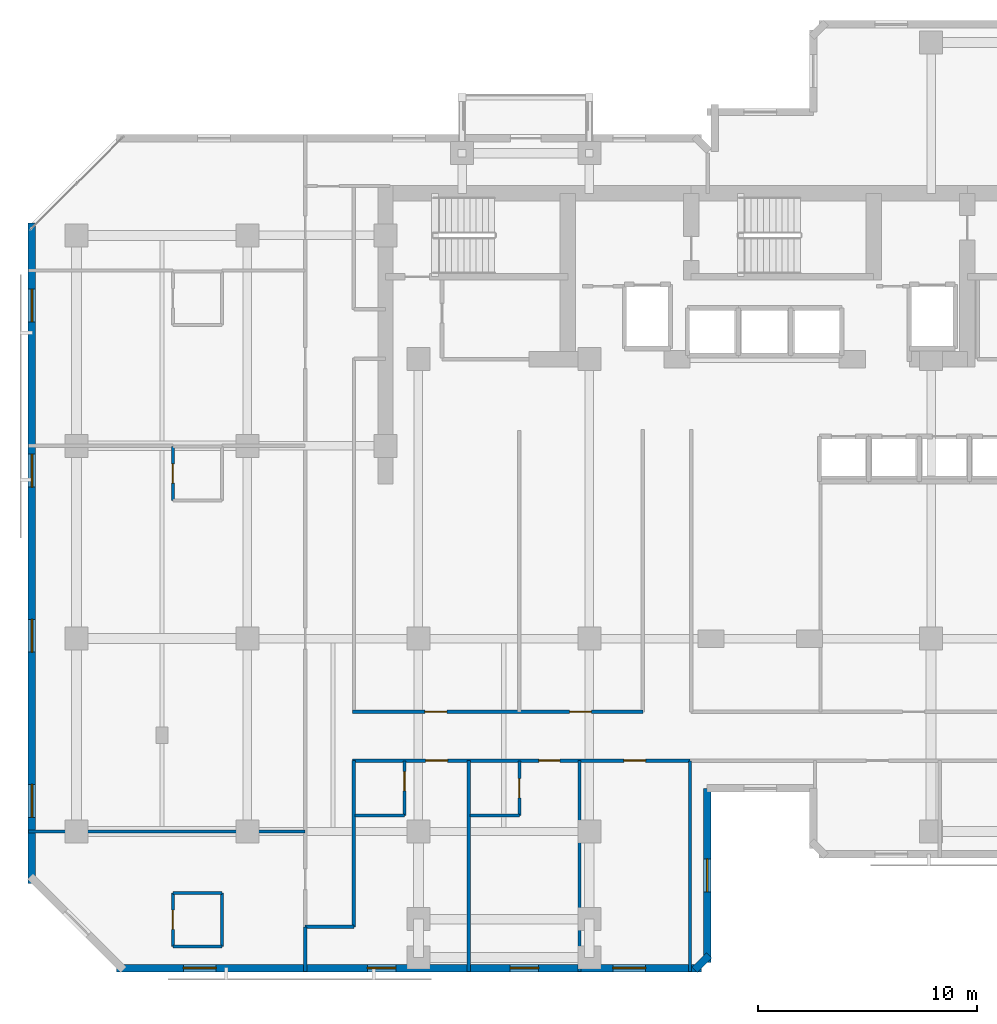
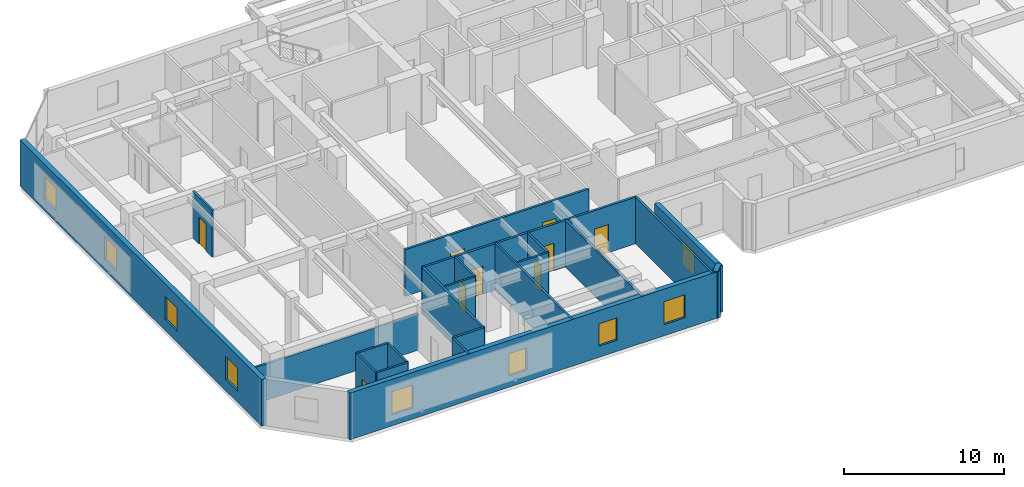
# One storey, part 4 of 10: 22 walls, 9 doors, 9 windows, 18 openings.
"""IFC4 building model written with IfcOpenShell, lengths in metres."""

from ifc_helpers import new_model, si_unit, direction, frame, frame_2d, origin, place, context, subcontext, project, spatial, rectangle, extrude, material, layer, layer_set, type_object, element, fill, save


model = new_model("IFC4")

# Units and contexts
model_context = context("Model", 3, precision=1e-05, world=origin(), true_north=direction((0.0, 1.0)))
body_context = subcontext(model_context, "Body", "Model", "MODEL_VIEW")
ifc_project = project(units=[si_unit("LENGTHUNIT", "METRE"), si_unit("AREAUNIT", "SQUARE_METRE"), si_unit("VOLUMEUNIT", "CUBIC_METRE"), si_unit("PLANEANGLEUNIT", "RADIAN"), si_unit("MASSUNIT", "GRAM", prefix="KILO")], contexts=[model_context])

# Site, building, storey
site_placement = place(None, origin())
site = spatial("IfcSite", under=ifc_project, at=site_placement, CompositionType="ELEMENT")
building_placement = place(site_placement, origin())
building = spatial("IfcBuilding", under=site, at=building_placement, Name="Kestravale Grand Hotel", CompositionType="ELEMENT")
storey_placement = place(building_placement, frame((0.0, 0.0, 142.199951171875)))
storey = spatial("IfcBuildingStorey", under=building, at=storey_placement, Name="L35", CompositionType="ELEMENT", Elevation=142.199951171875)

# Wall, openings, windows
ifc_material_1 = material(Name="Precast concrete f'c 45 MPa", Category="concrete")
ifc_layer_1 = layer(ifc_material_1, 0.340087890625)
ifc_layer_set_1 = layer_set([ifc_layer_1], Name="EW-PREC-340")
wall_type_1 = type_object("IfcWallType", Name="EW-PREC-340", PredefinedType="SOLIDWALL", material=ifc_layer_set_1)
wall_1_placement = place(storey_placement, frame((9.6298828125, 4.969970703125, 0.0), z_axis=(0.0, 0.0, 1.0), x_axis=(1.0, 0.0, 0.0)))
wall_1 = element("IfcWall", 1, at=wall_1_placement, inside=storey, type_object=wall_type_1, Name="L35 fluted precast facade wall 1", PredefinedType="SOLIDWALL", context=body_context, shape_type="SweptSolid", body=[
    extrude(rectangle(XDim=26.690185546875, YDim=0.340087890625, at=frame_2d((13.34521484375, 0.0))), origin(), (0.0, 0.0, 1.0), 3.550048828125),
])
opening_1_placement = place(wall_1_placement, frame((3.04833984375, 0.0, 0.85009765625)))
opening_1 = element("IfcOpeningElement", 2, at=opening_1_placement, cuts=wall_1, Name="Opening W-GUEST-1500", PredefinedType="OPENING", context=body_context, shape_type="SweptSolid", body=[
    extrude(rectangle(XDim=1.5, YDim=1.75, at=frame_2d((0.75, 0.875))), frame((0.0, 0.179931640625, 0.0), z_axis=(0.0, -1.0, 0.0), x_axis=(1.0, 0.0, 0.0)), (0.0, 0.0, 1.0), 0.360107421875),
])
opening_2_placement = place(wall_1_placement, frame((22.6416015625, 0.0, 0.85009765625)))
opening_2 = element("IfcOpeningElement", 3, at=opening_2_placement, cuts=wall_1, Name="Opening W-GUEST-1500", PredefinedType="OPENING", context=body_context, shape_type="SweptSolid", body=[
    extrude(rectangle(XDim=1.5, YDim=1.75, at=frame_2d((0.75, 0.875))), frame((0.0, 0.179931640625, 0.0), z_axis=(0.0, -1.0, 0.0), x_axis=(1.0, 0.0, 0.0)), (0.0, 0.0, 1.0), 0.360107421875),
])
opening_3_placement = place(wall_1_placement, frame((11.449951171875, 0.0, 0.85009765625)))
opening_3 = element("IfcOpeningElement", 4, at=opening_3_placement, cuts=wall_1, Name="Opening W-GUEST-1300", PredefinedType="OPENING", context=body_context, shape_type="SweptSolid", body=[
    extrude(rectangle(XDim=1.300048828125, YDim=1.699951171875, at=frame_2d((0.64990234375, 0.85009765625))), frame((0.0, 0.179931640625, 0.0), z_axis=(0.0, -1.0, 0.0), x_axis=(1.0, 0.0, 0.0)), (0.0, 0.0, 1.0), 0.360107421875),
])
opening_4_placement = place(wall_1_placement, frame((17.955078125, 0.0, 0.85009765625)))
opening_4 = element("IfcOpeningElement", 5, at=opening_4_placement, cuts=wall_1, Name="Opening W-GUEST-1300", PredefinedType="OPENING", context=body_context, shape_type="SweptSolid", body=[
    extrude(rectangle(XDim=1.300048828125, YDim=1.699951171875, at=frame_2d((0.64990234375, 0.85009765625))), frame((0.0, 0.179931640625, 0.0), z_axis=(0.0, -1.0, 0.0), x_axis=(1.0, 0.0, 0.0)), (0.0, 0.0, 1.0), 0.360107421875),
])
ifc_material_2 = material(Name="Insulated low-E double glazing in aluminium frame", Category="aluminium")
window_type_1 = type_object("IfcWindowType", Name="W-GUEST-1300", PartitioningType="SINGLE_PANEL", PredefinedType="WINDOW", material=ifc_material_2)
window_1_placement = place(opening_3_placement, origin())
window_1 = element("IfcWindow", 6, at=window_1_placement, inside=storey, type_object=window_type_1, Name="L35 guestroom envelope window 1", OverallHeight=1.699951171875, OverallWidth=1.300048828125, PartitioningType="SINGLE_PANEL", PredefinedType="WINDOW", context=body_context, shape_type="SweptSolid", body=[
    extrude(rectangle(XDim=1.300048828125, YDim=1.699951171875, at=frame_2d((0.64990234375, 0.85009765625))), frame((0.0, 0.030029296875, 0.0), z_axis=(0.0, -1.0, 0.0), x_axis=(1.0, 0.0, 0.0)), (0.0, 0.0, 1.0), 0.06005859375),
])
fill(opening_3, window_1)
window_2_placement = place(opening_4_placement, origin())
window_2 = element("IfcWindow", 7, at=window_2_placement, inside=storey, type_object=window_type_1, Name="L35 guestroom envelope window 2", OverallHeight=1.699951171875, OverallWidth=1.300048828125, PartitioningType="SINGLE_PANEL", PredefinedType="WINDOW", context=body_context, shape_type="SweptSolid", body=[
    extrude(rectangle(XDim=1.300048828125, YDim=1.699951171875, at=frame_2d((0.64990234375, 0.85009765625))), frame((0.0, 0.030029296875, 0.0), z_axis=(0.0, -1.0, 0.0), x_axis=(1.0, 0.0, 0.0)), (0.0, 0.0, 1.0), 0.06005859375),
])
fill(opening_4, window_2)
ifc_material_3 = material(Name="Insulated low-E double glazing in aluminium frame", Category="aluminium")
window_type_2 = type_object("IfcWindowType", Name="W-GUEST-1500", PartitioningType="SINGLE_PANEL", PredefinedType="WINDOW", material=ifc_material_3)
window_3_placement = place(opening_1_placement, origin())
window_3 = element("IfcWindow", 8, at=window_3_placement, inside=storey, type_object=window_type_2, Name="L35 exterior window 1.1", OverallHeight=1.75, OverallWidth=1.5, PartitioningType="SINGLE_PANEL", PredefinedType="WINDOW", context=body_context, shape_type="SweptSolid", body=[
    extrude(rectangle(XDim=1.5, YDim=1.75, at=frame_2d((0.75, 0.875))), frame((0.0, 0.030029296875, 0.0), z_axis=(0.0, -1.0, 0.0), x_axis=(1.0, 0.0, 0.0)), (0.0, 0.0, 1.0), 0.06005859375),
])
fill(opening_1, window_3)
window_4_placement = place(opening_2_placement, origin())
window_4 = element("IfcWindow", 9, at=window_4_placement, inside=storey, type_object=window_type_2, Name="L35 exterior window 1.2", OverallHeight=1.75, OverallWidth=1.5, PartitioningType="SINGLE_PANEL", PredefinedType="WINDOW", context=body_context, shape_type="SweptSolid", body=[
    extrude(rectangle(XDim=1.5, YDim=1.75, at=frame_2d((0.75, 0.875))), frame((0.0, 0.030029296875, 0.0), z_axis=(0.0, -1.0, 0.0), x_axis=(1.0, 0.0, 0.0)), (0.0, 0.0, 1.0), 0.06005859375),
])
fill(opening_2, window_4)

# Wall
wall_2_placement = place(storey_placement, frame((36.00146484375, 4.891845703125, 0.0), z_axis=(0.0, 0.0, 1.0), x_axis=(0.707106781187, 0.707106781187, 0.0)))
element("IfcWall", 10, at=wall_2_placement, inside=storey, type_object=wall_type_1, Name="L35 fluted precast facade wall 2", PredefinedType="SOLIDWALL", context=body_context, shape_type="SweptSolid", body=[
    extrude(rectangle(XDim=0.9287109375, YDim=0.340087890625, at=frame_2d((0.46435546875, 0.0))), origin(), (0.0, 0.0, 1.0), 3.550048828125),
])

# Wall, opening, window
wall_3_placement = place(storey_placement, frame((36.580078125, 5.22998046875, 0.0), z_axis=(0.0, 0.0, 1.0), x_axis=(0.0, 1.0, 0.0)))
wall_3 = element("IfcWall", 11, at=wall_3_placement, inside=storey, type_object=wall_type_1, Name="L35 fluted precast facade wall 3", PredefinedType="SOLIDWALL", context=body_context, shape_type="SweptSolid", body=[
    extrude(rectangle(XDim=7.93994140625, YDim=0.340087890625, at=frame_2d((3.969970703125, 0.0))), origin(), (0.0, 0.0, 1.0), 3.550048828125),
])
opening_5_placement = place(wall_3_placement, frame((3.219970703125, 0.0, 0.85009765625)))
opening_5 = element("IfcOpeningElement", 12, at=opening_5_placement, cuts=wall_3, Name="Opening W-GUEST-1500", PredefinedType="OPENING", context=body_context, shape_type="SweptSolid", body=[
    extrude(rectangle(XDim=1.5, YDim=1.75, at=frame_2d((0.75, 0.875))), frame((0.0, 0.179931640625, 0.0), z_axis=(0.0, -1.0, 0.0), x_axis=(1.0, 0.0, 0.0)), (0.0, 0.0, 1.0), 0.360107421875),
])
window_5_placement = place(opening_5_placement, origin())
window_5 = element("IfcWindow", 13, at=window_5_placement, inside=storey, type_object=window_type_2, Name="L35 exterior window 3.1", OverallHeight=1.75, OverallWidth=1.5, PartitioningType="SINGLE_PANEL", PredefinedType="WINDOW", context=body_context, shape_type="SweptSolid", body=[
    extrude(rectangle(XDim=1.5, YDim=1.75, at=frame_2d((0.75, 0.875))), frame((0.0, 0.030029296875, 0.0), z_axis=(0.0, -1.0, 0.0), x_axis=(1.0, 0.0, 0.0)), (0.0, 0.0, 1.0), 0.06005859375),
])
fill(opening_5, window_5)

# Wall, openings, windows
wall_4_placement = place(storey_placement, frame((5.77001953125, 38.969970703125, 0.0), z_axis=(0.0, 0.0, 1.0), x_axis=(0.0, -1.0, 0.0)))
wall_4 = element("IfcWall", 14, at=wall_4_placement, inside=storey, type_object=wall_type_1, Name="L35 fluted precast facade wall 19", PredefinedType="SOLIDWALL", context=body_context, shape_type="SweptSolid", body=[
    extrude(rectangle(XDim=30.139892578125, YDim=0.340087890625, at=frame_2d((15.06982421875, 0.0))), origin(), (0.0, 0.0, 1.0), 3.550048828125),
])
opening_6_placement = place(wall_4_placement, frame((3.017578125, 0.0, 0.85009765625)))
opening_6 = element("IfcOpeningElement", 15, at=opening_6_placement, cuts=wall_4, Name="Opening W-GUEST-1500", PredefinedType="OPENING", context=body_context, shape_type="SweptSolid", body=[
    extrude(rectangle(XDim=1.5, YDim=1.75, at=frame_2d((0.75, 0.875))), frame((0.0, 0.179931640625, 0.0), z_axis=(0.0, -1.0, 0.0), x_axis=(1.0, 0.0, 0.0)), (0.0, 0.0, 1.0), 0.360107421875),
])
opening_7_placement = place(wall_4_placement, frame((10.552490234375, 0.0, 0.85009765625)))
opening_7 = element("IfcOpeningElement", 16, at=opening_7_placement, cuts=wall_4, Name="Opening W-GUEST-1500", PredefinedType="OPENING", context=body_context, shape_type="SweptSolid", body=[
    extrude(rectangle(XDim=1.5, YDim=1.75, at=frame_2d((0.75, 0.875))), frame((0.0, 0.179931640625, 0.0), z_axis=(0.0, -1.0, 0.0), x_axis=(1.0, 0.0, 0.0)), (0.0, 0.0, 1.0), 0.360107421875),
])
opening_8_placement = place(wall_4_placement, frame((18.08740234375, 0.0, 0.85009765625)))
opening_8 = element("IfcOpeningElement", 17, at=opening_8_placement, cuts=wall_4, Name="Opening W-GUEST-1500", PredefinedType="OPENING", context=body_context, shape_type="SweptSolid", body=[
    extrude(rectangle(XDim=1.5, YDim=1.75, at=frame_2d((0.75, 0.875))), frame((0.0, 0.179931640625, 0.0), z_axis=(0.0, -1.0, 0.0), x_axis=(1.0, 0.0, 0.0)), (0.0, 0.0, 1.0), 0.360107421875),
])
opening_9_placement = place(wall_4_placement, frame((25.62255859375, 0.0, 0.85009765625)))
opening_9 = element("IfcOpeningElement", 18, at=opening_9_placement, cuts=wall_4, Name="Opening W-GUEST-1500", PredefinedType="OPENING", context=body_context, shape_type="SweptSolid", body=[
    extrude(rectangle(XDim=1.5, YDim=1.75, at=frame_2d((0.75, 0.875))), frame((0.0, 0.179931640625, 0.0), z_axis=(0.0, -1.0, 0.0), x_axis=(1.0, 0.0, 0.0)), (0.0, 0.0, 1.0), 0.360107421875),
])
window_6_placement = place(opening_6_placement, origin())
window_6 = element("IfcWindow", 19, at=window_6_placement, inside=storey, type_object=window_type_2, Name="L35 exterior window 19.1", OverallHeight=1.75, OverallWidth=1.5, PartitioningType="SINGLE_PANEL", PredefinedType="WINDOW", context=body_context, shape_type="SweptSolid", body=[
    extrude(rectangle(XDim=1.5, YDim=1.75, at=frame_2d((0.75, 0.875))), frame((0.0, 0.030029296875, 0.0), z_axis=(0.0, -1.0, 0.0), x_axis=(1.0, 0.0, 0.0)), (0.0, 0.0, 1.0), 0.06005859375),
])
fill(opening_6, window_6)
window_7_placement = place(opening_7_placement, origin())
window_7 = element("IfcWindow", 20, at=window_7_placement, inside=storey, type_object=window_type_2, Name="L35 exterior window 19.2", OverallHeight=1.75, OverallWidth=1.5, PartitioningType="SINGLE_PANEL", PredefinedType="WINDOW", context=body_context, shape_type="SweptSolid", body=[
    extrude(rectangle(XDim=1.5, YDim=1.75, at=frame_2d((0.75, 0.875))), frame((0.0, 0.030029296875, 0.0), z_axis=(0.0, -1.0, 0.0), x_axis=(1.0, 0.0, 0.0)), (0.0, 0.0, 1.0), 0.06005859375),
])
fill(opening_7, window_7)
window_8_placement = place(opening_8_placement, origin())
window_8 = element("IfcWindow", 21, at=window_8_placement, inside=storey, type_object=window_type_2, Name="L35 exterior window 19.3", OverallHeight=1.75, OverallWidth=1.5, PartitioningType="SINGLE_PANEL", PredefinedType="WINDOW", context=body_context, shape_type="SweptSolid", body=[
    extrude(rectangle(XDim=1.5, YDim=1.75, at=frame_2d((0.75, 0.875))), frame((0.0, 0.030029296875, 0.0), z_axis=(0.0, -1.0, 0.0), x_axis=(1.0, 0.0, 0.0)), (0.0, 0.0, 1.0), 0.06005859375),
])
fill(opening_8, window_8)
window_9_placement = place(opening_9_placement, origin())
window_9 = element("IfcWindow", 22, at=window_9_placement, inside=storey, type_object=window_type_2, Name="L35 exterior window 19.4", OverallHeight=1.75, OverallWidth=1.5, PartitioningType="SINGLE_PANEL", PredefinedType="WINDOW", context=body_context, shape_type="SweptSolid", body=[
    extrude(rectangle(XDim=1.5, YDim=1.75, at=frame_2d((0.75, 0.875))), frame((0.0, 0.030029296875, 0.0), z_axis=(0.0, -1.0, 0.0), x_axis=(1.0, 0.0, 0.0)), (0.0, 0.0, 1.0), 0.06005859375),
])
fill(opening_9, window_9)

# Wall, openings, doors
ifc_material_4 = material(Name="Acoustic fire-rated gypsum board partition", Category="other")
ifc_layer_2 = layer(ifc_material_4, 0.159912109375)
ifc_layer_set_2 = layer_set([ifc_layer_2], Name="IW-CORR-160")
wall_type_2 = type_object("IfcWallType", Name="IW-CORR-160", PredefinedType="PARTITIONING", material=ifc_layer_set_2)
wall_5_placement = place(storey_placement, frame((20.39990234375, 16.659912109375, 0.0), z_axis=(0.0, 0.0, 1.0), x_axis=(1.0, 0.0, 0.0)))
wall_5 = element("IfcWall", 23, at=wall_5_placement, inside=storey, type_object=wall_type_2, Name="W-L35-CW-N", PredefinedType="PARTITIONING", context=body_context, shape_type="SweptSolid", body=[
    extrude(rectangle(XDim=13.25, YDim=0.159912109375, at=frame_2d((6.625, 0.0))), origin(), (0.0, 0.0, 1.0), 3.550048828125),
])
opening_10_placement = place(wall_5_placement, frame((3.300048828125, 0.0, 0.0)))
opening_10 = element("IfcOpeningElement", 24, at=opening_10_placement, cuts=wall_5, Name="Opening D-GUEST-1000", PredefinedType="OPENING", context=body_context, shape_type="SweptSolid", body=[
    extrude(rectangle(XDim=1.0, YDim=2.14990234375, at=frame_2d((0.5, 1.074951171875))), frame((0.0, 0.08984375, 0.0), z_axis=(0.0, -1.0, 0.0), x_axis=(1.0, 0.0, 0.0)), (0.0, 0.0, 1.0), 0.179931640625),
])
opening_11_placement = place(wall_5_placement, frame((9.89990234375, 0.0, 0.0)))
opening_11 = element("IfcOpeningElement", 25, at=opening_11_placement, cuts=wall_5, Name="Opening D-GUEST-1000", PredefinedType="OPENING", context=body_context, shape_type="SweptSolid", body=[
    extrude(rectangle(XDim=1.0, YDim=2.14990234375, at=frame_2d((0.5, 1.074951171875))), frame((0.0, 0.08984375, 0.0), z_axis=(0.0, -1.0, 0.0), x_axis=(1.0, 0.0, 0.0)), (0.0, 0.0, 1.0), 0.179931640625),
])
ifc_material_5 = material(Name="Accessible walnut veneer hotel entrance fire door", Category="wood")
door_type_1 = type_object("IfcDoorType", Name="D-GUEST-1000", OperationType="NOTDEFINED", PredefinedType="DOOR", material=ifc_material_5)
door_1_placement = place(opening_10_placement, origin())
door_1 = element("IfcDoor", 26, at=door_1_placement, inside=storey, type_object=door_type_1, Name="D-L35-RECL-W1", OperationType="SINGLE_SWING_RIGHT", OverallHeight=2.14990234375, OverallWidth=1.0, PredefinedType="DOOR", context=body_context, shape_type="SweptSolid", body=[
    extrude(rectangle(XDim=1.0, YDim=2.14990234375, at=frame_2d((0.5, 1.074951171875))), frame((0.0, 0.02490234375, 0.0), z_axis=(0.0, -1.0, 0.0), x_axis=(1.0, 0.0, 0.0)), (0.0, 0.0, 1.0), 0.050048828125),
])
fill(opening_10, door_1)
door_2_placement = place(opening_11_placement, origin())
door_2 = element("IfcDoor", 27, at=door_2_placement, inside=storey, type_object=door_type_1, Name="D-L35-RECL-W2", OperationType="SINGLE_SWING_LEFT", OverallHeight=2.14990234375, OverallWidth=1.0, PredefinedType="DOOR", context=body_context, shape_type="SweptSolid", body=[
    extrude(rectangle(XDim=1.0, YDim=2.14990234375, at=frame_2d((0.5, 1.074951171875))), frame((0.0, 0.02490234375, 0.0), z_axis=(0.0, -1.0, 0.0), x_axis=(1.0, 0.0, 0.0)), (0.0, 0.0, 1.0), 0.050048828125),
])
fill(opening_11, door_2)

wall_6_placement = place(storey_placement, frame((20.39990234375, 14.43994140625, 0.0), z_axis=(0.0, 0.0, 1.0), x_axis=(1.0, 0.0, 0.0)))
wall_6 = element("IfcWall", 28, at=wall_6_placement, inside=storey, type_object=wall_type_2, Name="W-L35-CW-S", PredefinedType="PARTITIONING", context=body_context, shape_type="SweptSolid", body=[
    extrude(rectangle(XDim=15.400146484375, YDim=0.159912109375, at=frame_2d((7.7001953125, 0.0))), origin(), (0.0, 0.0, 1.0), 3.550048828125),
])
opening_12_placement = place(wall_6_placement, frame((3.3349609375, 0.0, 0.0)))
opening_12 = element("IfcOpeningElement", 29, at=opening_12_placement, cuts=wall_6, Name="Opening D-GUEST-1000", PredefinedType="OPENING", context=body_context, shape_type="SweptSolid", body=[
    extrude(rectangle(XDim=1.0, YDim=2.14990234375, at=frame_2d((0.5, 1.074951171875))), frame((0.0, 0.08984375, 0.0), z_axis=(0.0, -1.0, 0.0), x_axis=(1.0, 0.0, 0.0)), (0.0, 0.0, 1.0), 0.179931640625),
])
opening_13_placement = place(wall_6_placement, frame((8.5048828125, 0.0, 0.0)))
opening_13 = element("IfcOpeningElement", 30, at=opening_13_placement, cuts=wall_6, Name="Opening D-GUEST-950", PredefinedType="OPENING", context=body_context, shape_type="SweptSolid", body=[
    extrude(rectangle(XDim=0.949951171875, YDim=2.10009765625, at=frame_2d((0.47509765625, 1.050048828125))), frame((0.0, 0.08984375, 0.0), z_axis=(0.0, -1.0, 0.0), x_axis=(1.0, 0.0, 0.0)), (0.0, 0.0, 1.0), 0.179931640625),
])
opening_14_placement = place(wall_6_placement, frame((12.375, 0.0, 0.0)))
opening_14 = element("IfcOpeningElement", 31, at=opening_14_placement, cuts=wall_6, Name="Opening D-GUEST-1000", PredefinedType="OPENING", context=body_context, shape_type="SweptSolid", body=[
    extrude(rectangle(XDim=1.0, YDim=2.14990234375, at=frame_2d((0.5, 1.074951171875))), frame((0.0, 0.08984375, 0.0), z_axis=(0.0, -1.0, 0.0), x_axis=(1.0, 0.0, 0.0)), (0.0, 0.0, 1.0), 0.179931640625),
])
door_3_placement = place(opening_12_placement, origin())
door_3 = element("IfcDoor", 32, at=door_3_placement, inside=storey, type_object=door_type_1, Name="D-L35-U01-ENT", OperationType="SINGLE_SWING_LEFT", OverallHeight=2.14990234375, OverallWidth=1.0, PredefinedType="DOOR", context=body_context, shape_type="SweptSolid", body=[
    extrude(rectangle(XDim=1.0, YDim=2.14990234375, at=frame_2d((0.5, 1.074951171875))), frame((0.0, 0.02490234375, 0.0), z_axis=(0.0, -1.0, 0.0), x_axis=(1.0, 0.0, 0.0)), (0.0, 0.0, 1.0), 0.050048828125),
])
fill(opening_12, door_3)
door_4_placement = place(opening_14_placement, origin())
door_4 = element("IfcDoor", 33, at=door_4_placement, inside=storey, type_object=door_type_1, Name="D-L35-AMW", OperationType="SINGLE_SWING_RIGHT", OverallHeight=2.14990234375, OverallWidth=1.0, PredefinedType="DOOR", context=body_context, shape_type="SweptSolid", body=[
    extrude(rectangle(XDim=1.0, YDim=2.14990234375, at=frame_2d((0.5, 1.074951171875))), frame((0.0, 0.02490234375, 0.0), z_axis=(0.0, -1.0, 0.0), x_axis=(1.0, 0.0, 0.0)), (0.0, 0.0, 1.0), 0.050048828125),
])
fill(opening_14, door_4)
ifc_material_6 = material(Name="Walnut veneer hotel guestroom entrance fire door", Category="wood")
door_type_2 = type_object("IfcDoorType", Name="D-GUEST-950", OperationType="NOTDEFINED", PredefinedType="DOOR", material=ifc_material_6)
door_5_placement = place(opening_13_placement, origin())
door_5 = element("IfcDoor", 34, at=door_5_placement, inside=storey, type_object=door_type_2, Name="D-L35-U02-ENT", OperationType="SINGLE_SWING_LEFT", OverallHeight=2.10009765625, OverallWidth=0.949951171875, PredefinedType="DOOR", context=body_context, shape_type="SweptSolid", body=[
    extrude(rectangle(XDim=0.949951171875, YDim=2.10009765625, at=frame_2d((0.47509765625, 1.050048828125))), frame((0.0, 0.02490234375, 0.0), z_axis=(0.0, -1.0, 0.0), x_axis=(1.0, 0.0, 0.0)), (0.0, 0.0, 1.0), 0.050048828125),
])
fill(opening_13, door_5)

# Wall
wall_7_placement = place(storey_placement, frame((20.4599609375, 6.85009765625, 0.0), z_axis=(0.0, 0.0, 1.0), x_axis=(0.0, 1.0, 0.0)))
element("IfcWall", 35, at=wall_7_placement, inside=storey, type_object=wall_type_2, Name="W-L35-SW-E", PredefinedType="PARTITIONING", context=body_context, shape_type="SweptSolid", body=[
    extrude(rectangle(XDim=7.58984375, YDim=0.159912109375, at=frame_2d((3.794921875, 0.0))), origin(), (0.0, 0.0, 1.0), 3.550048828125),
])

# Wall, opening, door
ifc_material_7 = material(Name="Moisture-resistant tile-backer plumbing chase wall", Category="other")
ifc_layer_3 = layer(ifc_material_7, 0.139892578125)
ifc_layer_set_3 = layer_set([ifc_layer_3], Name="IW-PLB-140")
wall_type_3 = type_object("IfcWallType", Name="IW-PLB-140", PredefinedType="PLUMBINGWALL", material=ifc_layer_set_3)
wall_8_placement = place(storey_placement, frame((22.77001953125, 11.929931640625, 0.0), z_axis=(0.0, 0.0, 1.0), x_axis=(0.0, 1.0, 0.0)))
wall_8 = element("IfcWall", 36, at=wall_8_placement, inside=storey, type_object=wall_type_3, Name="W-L35-U01-BE", PredefinedType="PLUMBINGWALL", context=body_context, shape_type="SweptSolid", body=[
    extrude(rectangle(XDim=2.489990234375, YDim=0.139892578125, at=frame_2d((1.2451171875, 0.0))), origin(), (0.0, 0.0, 1.0), 3.550048828125),
])
opening_15_placement = place(wall_8_placement, frame((1.12451171875, 0.0, 0.0)))
opening_15 = element("IfcOpeningElement", 37, at=opening_15_placement, cuts=wall_8, Name="Opening D-BATH-880", PredefinedType="OPENING", context=body_context, shape_type="SweptSolid", body=[
    extrude(rectangle(XDim=0.8798828125, YDim=2.050048828125, at=frame_2d((0.43994140625, 1.02490234375))), frame((0.0, 0.079833984375, 0.0), z_axis=(0.0, -1.0, 0.0), x_axis=(1.0, 0.0, 0.0)), (0.0, 0.0, 1.0), 0.159912109375),
])
ifc_material_8 = material(Name="Moisture-sealed walnut en-suite bathroom door", Category="wood")
door_type_3 = type_object("IfcDoorType", Name="D-BATH-880", OperationType="NOTDEFINED", PredefinedType="DOOR", material=ifc_material_8)
door_6_placement = place(opening_15_placement, origin())
door_6 = element("IfcDoor", 38, at=door_6_placement, inside=storey, type_object=door_type_3, Name="D-L35-U01-BATH", OperationType="SINGLE_SWING_RIGHT", OverallHeight=2.050048828125, OverallWidth=0.8798828125, PredefinedType="DOOR", context=body_context, shape_type="SweptSolid", body=[
    extrude(rectangle(XDim=0.8798828125, YDim=2.050048828125, at=frame_2d((0.43994140625, 1.02490234375))), frame((0.0, 0.02490234375, 0.0), z_axis=(0.0, -1.0, 0.0), x_axis=(1.0, 0.0, 0.0)), (0.0, 0.0, 1.0), 0.050048828125),
])
fill(opening_15, door_6)

# Wall
wall_9_placement = place(storey_placement, frame((20.52001953125, 11.929931640625, 0.0), z_axis=(0.0, 0.0, 1.0), x_axis=(1.0, 0.0, 0.0)))
element("IfcWall", 39, at=wall_9_placement, inside=storey, type_object=wall_type_3, Name="W-L35-U01-BS", PredefinedType="PLUMBINGWALL", context=body_context, shape_type="SweptSolid", body=[
    extrude(rectangle(XDim=2.25, YDim=0.139892578125, at=frame_2d((1.125, 0.0))), origin(), (0.0, 0.0, 1.0), 3.550048828125),
])

# Wall, opening, door
wall_10_placement = place(storey_placement, frame((28.010009765625, 11.929931640625, 0.0), z_axis=(0.0, 0.0, 1.0), x_axis=(0.0, 1.0, 0.0)))
wall_10 = element("IfcWall", 40, at=wall_10_placement, inside=storey, type_object=wall_type_3, Name="W-L35-U02-BE", PredefinedType="PLUMBINGWALL", context=body_context, shape_type="SweptSolid", body=[
    extrude(rectangle(XDim=2.489990234375, YDim=0.139892578125, at=frame_2d((1.2451171875, 0.0))), origin(), (0.0, 0.0, 1.0), 3.550048828125),
])
opening_16_placement = place(wall_10_placement, frame((0.804931640625, 0.0, 0.0)))
opening_16 = element("IfcOpeningElement", 41, at=opening_16_placement, cuts=wall_10, Name="Opening D-BATH-880", PredefinedType="OPENING", context=body_context, shape_type="SweptSolid", body=[
    extrude(rectangle(XDim=0.8798828125, YDim=2.050048828125, at=frame_2d((0.43994140625, 1.02490234375))), frame((0.0, 0.079833984375, 0.0), z_axis=(0.0, -1.0, 0.0), x_axis=(1.0, 0.0, 0.0)), (0.0, 0.0, 1.0), 0.159912109375),
])
door_7_placement = place(opening_16_placement, origin())
door_7 = element("IfcDoor", 42, at=door_7_placement, inside=storey, type_object=door_type_3, Name="D-L35-U02-BATH", OperationType="SINGLE_SWING_RIGHT", OverallHeight=2.050048828125, OverallWidth=0.8798828125, PredefinedType="DOOR", context=body_context, shape_type="SweptSolid", body=[
    extrude(rectangle(XDim=0.8798828125, YDim=2.050048828125, at=frame_2d((0.43994140625, 1.02490234375))), frame((0.0, 0.02490234375, 0.0), z_axis=(0.0, -1.0, 0.0), x_axis=(1.0, 0.0, 0.0)), (0.0, 0.0, 1.0), 0.050048828125),
])
fill(opening_16, door_7)

# Wall
wall_11_placement = place(storey_placement, frame((25.760009765625, 11.929931640625, 0.0), z_axis=(0.0, 0.0, 1.0), x_axis=(1.0, 0.0, 0.0)))
element("IfcWall", 43, at=wall_11_placement, inside=storey, type_object=wall_type_3, Name="W-L35-U02-BS", PredefinedType="PLUMBINGWALL", context=body_context, shape_type="SweptSolid", body=[
    extrude(rectangle(XDim=2.25, YDim=0.139892578125, at=frame_2d((1.125, 0.0))), origin(), (0.0, 0.0, 1.0), 3.550048828125),
])

# Wall, opening, door
wall_12_placement = place(storey_placement, frame((12.199951171875, 5.949951171875, 0.0), z_axis=(0.0, 0.0, 1.0), x_axis=(0.0, 1.0, 0.0)))
wall_12 = element("IfcWall", 44, at=wall_12_placement, inside=storey, type_object=wall_type_3, Name="W-L35-U03-BW", PredefinedType="PLUMBINGWALL", context=body_context, shape_type="SweptSolid", body=[
    extrude(rectangle(XDim=2.449951171875, YDim=0.139892578125, at=frame_2d((1.22509765625, 0.0))), origin(), (0.0, 0.0, 1.0), 3.550048828125),
])
opening_17_placement = place(wall_12_placement, frame((0.784912109375, 0.0, 0.0)))
opening_17 = element("IfcOpeningElement", 45, at=opening_17_placement, cuts=wall_12, Name="Opening D-BATH-880", PredefinedType="OPENING", context=body_context, shape_type="SweptSolid", body=[
    extrude(rectangle(XDim=0.8798828125, YDim=2.050048828125, at=frame_2d((0.43994140625, 1.02490234375))), frame((0.0, 0.079833984375, 0.0), z_axis=(0.0, -1.0, 0.0), x_axis=(1.0, 0.0, 0.0)), (0.0, 0.0, 1.0), 0.159912109375),
])
door_8_placement = place(opening_17_placement, origin())
door_8 = element("IfcDoor", 46, at=door_8_placement, inside=storey, type_object=door_type_3, Name="D-L35-U03-BATH", OperationType="SINGLE_SWING_RIGHT", OverallHeight=2.050048828125, OverallWidth=0.8798828125, PredefinedType="DOOR", context=body_context, shape_type="SweptSolid", body=[
    extrude(rectangle(XDim=0.8798828125, YDim=2.050048828125, at=frame_2d((0.43994140625, 1.02490234375))), frame((0.0, 0.02490234375, 0.0), z_axis=(0.0, -1.0, 0.0), x_axis=(1.0, 0.0, 0.0)), (0.0, 0.0, 1.0), 0.050048828125),
])
fill(opening_17, door_8)

# Walls
wall_13_placement = place(storey_placement, frame((14.449951171875, 5.949951171875, 0.0), z_axis=(0.0, 0.0, 1.0), x_axis=(0.0, 1.0, 0.0)))
element("IfcWall", 47, at=wall_13_placement, inside=storey, type_object=wall_type_3, Name="W-L35-U03-BE", PredefinedType="PLUMBINGWALL", context=body_context, shape_type="SweptSolid", body=[
    extrude(rectangle(XDim=2.449951171875, YDim=0.139892578125, at=frame_2d((1.22509765625, 0.0))), origin(), (0.0, 0.0, 1.0), 3.550048828125),
])
for number, where, z_axis, x_axis, name in (
    (48, (12.199951171875, 5.949951171875, 0.0), (0.0, 0.0, 1.0), (1.0, 0.0, 0.0), "W-L35-U03-BS"),
    (49, (12.199951171875, 8.39990234375, 0.0), (0.0, 0.0, 1.0), (1.0, 0.0, 0.0), "W-L35-U03-BN"),
):
    element("IfcWall", number, at=place(storey_placement, frame(where, z_axis=z_axis, x_axis=x_axis)), inside=storey, type_object=wall_type_3, Name=name, PredefinedType="PLUMBINGWALL", context=body_context, shape_type="SweptSolid", body=[
        extrude(rectangle(XDim=2.25, YDim=0.139892578125, at=frame_2d((1.125, 0.0))), origin(), (0.0, 0.0, 1.0), 3.550048828125),
    ])

# Wall, opening, door
wall_14_placement = place(storey_placement, frame((12.199951171875, 26.31005859375, 0.0), z_axis=(0.0, 0.0, 1.0), x_axis=(0.0, 1.0, 0.0)))
wall_14 = element("IfcWall", 50, at=wall_14_placement, inside=storey, type_object=wall_type_3, Name="W-L35-U04-BW", PredefinedType="PLUMBINGWALL", context=body_context, shape_type="SweptSolid", body=[
    extrude(rectangle(XDim=2.449951171875, YDim=0.139892578125, at=frame_2d((1.22509765625, 0.0))), origin(), (0.0, 0.0, 1.0), 3.550048828125),
])
opening_18_placement = place(wall_14_placement, frame((0.784912109375, 0.0, 0.0)))
opening_18 = element("IfcOpeningElement", 51, at=opening_18_placement, cuts=wall_14, Name="Opening D-BATH-880", PredefinedType="OPENING", context=body_context, shape_type="SweptSolid", body=[
    extrude(rectangle(XDim=0.8798828125, YDim=2.050048828125, at=frame_2d((0.43994140625, 1.02490234375))), frame((0.0, 0.079833984375, 0.0), z_axis=(0.0, -1.0, 0.0), x_axis=(1.0, 0.0, 0.0)), (0.0, 0.0, 1.0), 0.159912109375),
])
door_9_placement = place(opening_18_placement, origin())
door_9 = element("IfcDoor", 52, at=door_9_placement, inside=storey, type_object=door_type_3, Name="D-L35-U04-BATH", OperationType="SINGLE_SWING_RIGHT", OverallHeight=2.050048828125, OverallWidth=0.8798828125, PredefinedType="DOOR", context=body_context, shape_type="SweptSolid", body=[
    extrude(rectangle(XDim=0.8798828125, YDim=2.050048828125, at=frame_2d((0.43994140625, 1.02490234375))), frame((0.0, 0.02490234375, 0.0), z_axis=(0.0, -1.0, 0.0), x_axis=(1.0, 0.0, 0.0)), (0.0, 0.0, 1.0), 0.050048828125),
])
fill(opening_18, door_9)

# Walls
ifc_material_9 = material(Name="Double-stud STC 52 acoustic demising partition", Category="other")
ifc_layer_4 = layer(ifc_material_9, 0.14990234375)
ifc_layer_set_4 = layer_set([ifc_layer_4], Name="IW-UNIT-150")
wall_type_4 = type_object("IfcWallType", Name="IW-UNIT-150", PredefinedType="PARTITIONING", material=ifc_layer_set_4)
wall_15_placement = place(storey_placement, frame((18.239990234375, 6.85009765625, 0.0), z_axis=(0.0, 0.0, 1.0), x_axis=(1.0, 0.0, 0.0)))
element("IfcWall", 53, at=wall_15_placement, inside=storey, type_object=wall_type_4, Name="W-L35-SW-S", PredefinedType="PARTITIONING", context=body_context, shape_type="SweptSolid", body=[
    extrude(rectangle(XDim=2.219970703125, YDim=0.14990234375, at=frame_2d((1.10986328125, 0.0))), origin(), (0.0, 0.0, 1.0), 3.550048828125),
])
for number, where, z_axis, x_axis, name in (
    (54, (25.699951171875, 4.820068359375, 0.0), (0.0, 0.0, 1.0), (0.0, 1.0, 0.0), "W-L35-WS-1"),
    (55, (30.75, 4.820068359375, 0.0), (0.0, 0.0, 1.0), (0.0, 1.0, 0.0), "W-L35-WS-2"),
):
    element("IfcWall", number, at=place(storey_placement, frame(where, z_axis=z_axis, x_axis=x_axis)), inside=storey, type_object=wall_type_4, Name=name, PredefinedType="PARTITIONING", context=body_context, shape_type="SweptSolid", body=[
        extrude(rectangle(XDim=9.619873046875, YDim=0.14990234375, at=frame_2d((4.81005859375, 0.0))), origin(), (0.0, 0.0, 1.0), 3.550048828125),
    ])
wall_16_placement = place(storey_placement, frame((35.800048828125, 4.820068359375, 0.0), z_axis=(0.0, 0.0, 1.0), x_axis=(0.0, 1.0, 0.0)))
element("IfcWall", 56, at=wall_16_placement, inside=storey, type_object=wall_type_4, Name="W-L35-MID-S", PredefinedType="PARTITIONING", context=body_context, shape_type="SweptSolid", body=[
    extrude(rectangle(XDim=9.599853515625, YDim=0.14990234375, at=frame_2d((4.7998046875, 0.0))), origin(), (0.0, 0.0, 1.0), 3.550048828125),
])
wall_17_placement = place(storey_placement, frame((18.239990234375, 4.820068359375, 0.0), z_axis=(0.0, 0.0, 1.0), x_axis=(0.0, 1.0, 0.0)))
element("IfcWall", 57, at=wall_17_placement, inside=storey, type_object=wall_type_4, Name="W-L35-SW-EXT", PredefinedType="PARTITIONING", context=body_context, shape_type="SweptSolid", body=[
    extrude(rectangle(XDim=2.030029296875, YDim=0.14990234375, at=frame_2d((1.01513671875, 0.0))), origin(), (0.0, 0.0, 1.0), 3.550048828125),
])
wall_18_placement = place(storey_placement, frame((5.6201171875, 11.199951171875, 0.0), z_axis=(0.0, 0.0, 1.0), x_axis=(1.0, 0.0, 0.0)))
element("IfcWall", 58, at=wall_18_placement, inside=storey, type_object=wall_type_4, Name="W-L35-WW-1", PredefinedType="PARTITIONING", context=body_context, shape_type="SweptSolid", body=[
    extrude(rectangle(XDim=12.619873046875, YDim=0.14990234375, at=frame_2d((6.31005859375, 0.0))), origin(), (0.0, 0.0, 1.0), 2.778076171875),
])

save(model, "model.ifc")
